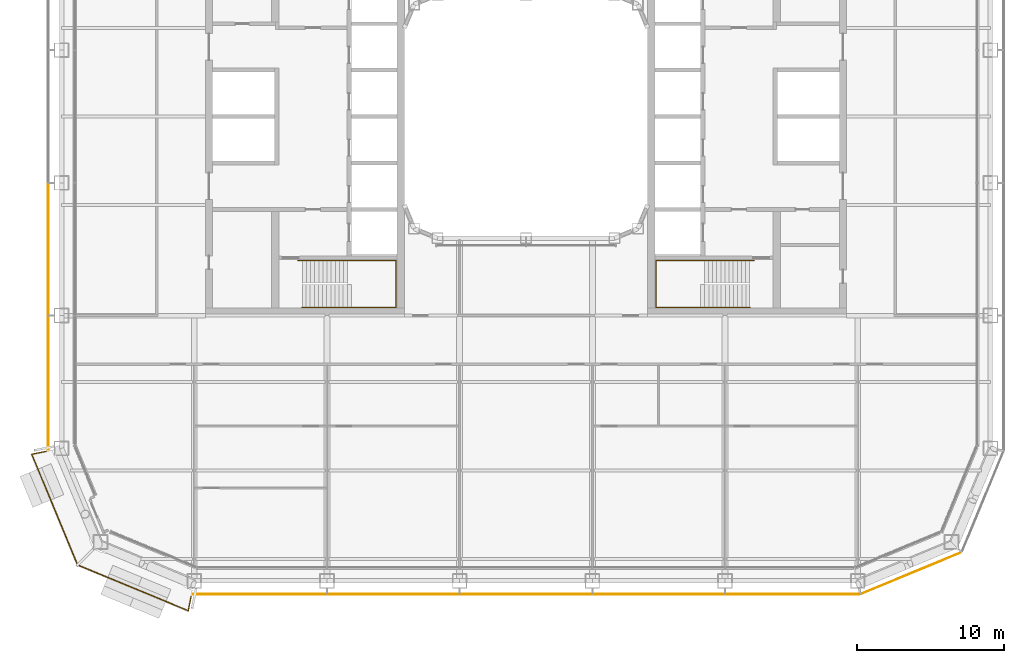
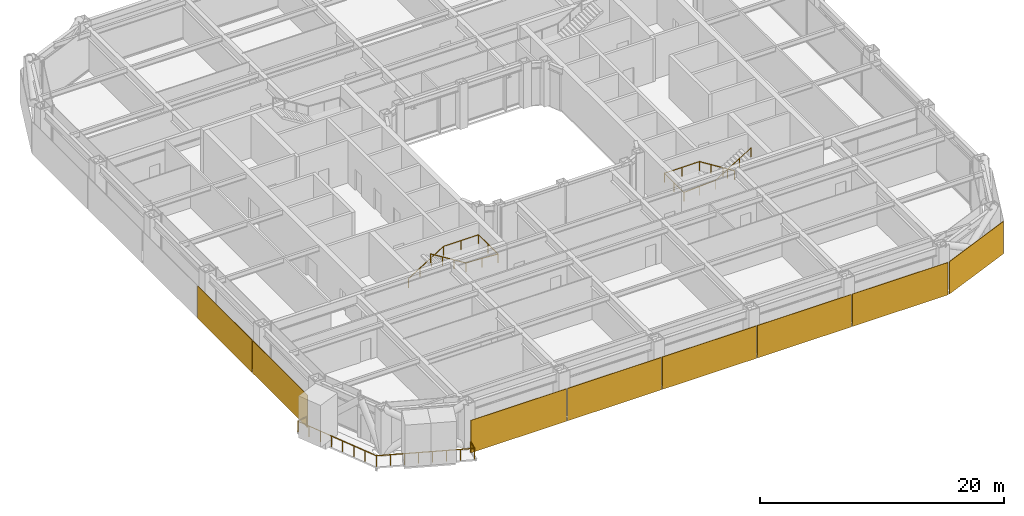
# One storey, part 23 of 27: 8 coverings, 3 railings.
"""IFC4 building model written with IfcOpenShell, lengths in metres."""

from ifc_helpers import new_model, si_unit, direction, frame, origin, origin_2d, place, context, subcontext, project, spatial, rectangle, circle, extrude, material, layer, layer_set, type_object, element, save


model = new_model("IFC4")

# Units and contexts
model_context = context("Model", 3, precision=1e-05, world=origin(), true_north=direction((0.0, 1.0)))
body_context = subcontext(model_context, "Body", "Model", "MODEL_VIEW")
ifc_project = project(units=[si_unit("LENGTHUNIT", "METRE"), si_unit("AREAUNIT", "SQUARE_METRE"), si_unit("VOLUMEUNIT", "CUBIC_METRE"), si_unit("PLANEANGLEUNIT", "RADIAN"), si_unit("MASSUNIT", "GRAM", prefix="KILO")], contexts=[model_context])

# Site, building, storey
site_placement = place(None, origin())
site = spatial("IfcSite", under=ifc_project, at=site_placement, CompositionType="ELEMENT")
building_placement = place(site_placement, origin())
building = spatial("IfcBuilding", under=site, at=building_placement, Name="Siwar Civic Tower", CompositionType="ELEMENT")
storey_placement = place(building_placement, frame((0.0, 0.0, 89.699951171875)))
storey = spatial("IfcBuildingStorey", under=building, at=storey_placement, Name="L19", CompositionType="ELEMENT", Elevation=89.699951171875)

# Railings
ifc_material_1 = material(Name="Stainless steel", Category="steel")
railing_type_1 = type_object("IfcRailingType", Name="CORE-STAIR-HANDRAIL", PredefinedType="HANDRAIL", material=ifc_material_1)
railing_1_placement = place(storey_placement, frame((-15.449951171875, -9.758056640625, 0.173095703125)))
element("IfcRailing", 1, at=railing_1_placement, inside=storey, type_object=railing_type_1, Name="Stair handrail ST2", PredefinedType="HANDRAIL", context=body_context, shape_type="SweptSolid", body=[
    extrude(circle(Radius=0.02001953125, at=origin_2d()), frame((0.0, 0.0, 0.8798828125), z_axis=(0.847063342986, 0.0, 0.531491950051), x_axis=(0.0, 1.0, 0.0)), (0.0, 0.0, 1.0), 3.90771484375),
    extrude(circle(Radius=0.02001953125, at=origin_2d()), frame((3.31005859375, 0.0, 2.956787109375), z_axis=(1.0, 0.0, 0.0), x_axis=(0.0, 1.0, 0.0)), (0.0, 0.0, 1.0), 3.331787109375),
    extrude(circle(Radius=0.02001953125, at=origin_2d()), frame((6.641845703125, 0.0, 2.956787109375), z_axis=(0.0, -1.0, 0.0), x_axis=(1.0, 0.0, 0.0)), (0.0, 0.0, 1.0), 3.183837890625),
    extrude(circle(Radius=0.02001953125, at=origin_2d()), frame((6.641845703125, -3.183837890625, 2.956787109375), z_axis=(-0.99837434197, 0.0, 0.056997134106), x_axis=(0.0, -1.0, 0.0)), (0.0, 0.0, 1.0), 3.036865234375),
    extrude(circle(Radius=0.02001953125, at=origin_2d()), frame((3.60986328125, -3.183837890625, 3.1298828125), z_axis=(-0.850606129759, 0.0, 0.525803396734), x_axis=(0.0, -1.0, 0.0)), (0.0, 0.0, 1.0), 3.949951171875),
    extrude(circle(Radius=0.02001953125, at=origin_2d()), origin(), (0.0, 0.0, 1.0), 0.85986328125),
    extrude(circle(Radius=0.02001953125, at=origin_2d()), frame((1.103271484375, 0.0, 0.6923828125)), (0.0, 0.0, 1.0), 0.85986328125),
    extrude(circle(Radius=0.02001953125, at=origin_2d()), frame((2.206787109375, 0.0, 1.384521484375)), (0.0, 0.0, 1.0), 0.85986328125),
    extrude(circle(Radius=0.02001953125, at=origin_2d()), frame((3.31005859375, 0.0, 2.076904296875)), (0.0, 0.0, 1.0), 0.85986328125),
    extrude(circle(Radius=0.02001953125, at=origin_2d()), frame((4.97607421875, 0.0, 2.076904296875)), (0.0, 0.0, 1.0), 0.85986328125),
    extrude(circle(Radius=0.02001953125, at=origin_2d()), frame((6.641845703125, 0.0, 2.076904296875)), (0.0, 0.0, 1.0), 0.85986328125),
    extrude(circle(Radius=0.02001953125, at=origin_2d()), frame((6.641845703125, -1.591796875, 2.076904296875)), (0.0, 0.0, 1.0), 0.85986328125),
    extrude(circle(Radius=0.02001953125, at=origin_2d()), frame((6.641845703125, -3.183837890625, 2.076904296875)), (0.0, 0.0, 1.0), 0.85986328125),
    extrude(circle(Radius=0.02001953125, at=origin_2d()), frame((5.1259765625, -3.183837890625, 2.16357421875)), (0.0, 0.0, 1.0), 0.85986328125),
    extrude(circle(Radius=0.02001953125, at=origin_2d()), frame((3.60986328125, -3.183837890625, 2.25)), (0.0, 0.0, 1.0), 0.85986328125),
    extrude(circle(Radius=0.02001953125, at=origin_2d()), frame((2.489990234375, -3.183837890625, 2.9423828125)), (0.0, 0.0, 1.0), 0.85986328125),
    extrude(circle(Radius=0.02001953125, at=origin_2d()), frame((1.369873046875, -3.183837890625, 3.634521484375)), (0.0, 0.0, 1.0), 0.85986328125),
    extrude(circle(Radius=0.02001953125, at=origin_2d()), frame((0.25, -3.183837890625, 4.326904296875)), (0.0, 0.0, 1.0), 0.85986328125),
])
railing_2_placement = place(storey_placement, frame((15.449951171875, -9.758056640625, 0.173095703125)))
element("IfcRailing", 2, at=railing_2_placement, inside=storey, type_object=railing_type_1, Name="Stair handrail ST4", PredefinedType="HANDRAIL", context=body_context, shape_type="SweptSolid", body=[
    extrude(circle(Radius=0.02001953125, at=origin_2d()), frame((0.0, 0.0, 0.8798828125), z_axis=(-0.847063342986, 0.0, 0.531491950051), x_axis=(0.0, -1.0, 0.0)), (0.0, 0.0, 1.0), 3.90771484375),
    extrude(circle(Radius=0.02001953125, at=origin_2d()), frame((-3.31005859375, 0.0, 2.956787109375), z_axis=(-1.0, 0.0, 0.0), x_axis=(0.0, -1.0, 0.0)), (0.0, 0.0, 1.0), 3.331787109375),
    extrude(circle(Radius=0.02001953125, at=origin_2d()), frame((-6.641845703125, 0.0, 2.956787109375), z_axis=(0.0, -1.0, 0.0), x_axis=(1.0, 0.0, 0.0)), (0.0, 0.0, 1.0), 3.183837890625),
    extrude(circle(Radius=0.02001953125, at=origin_2d()), frame((-6.641845703125, -3.183837890625, 2.956787109375), z_axis=(0.99837434197, 0.0, 0.056997134106), x_axis=(0.0, 1.0, 0.0)), (0.0, 0.0, 1.0), 3.036865234375),
    extrude(circle(Radius=0.02001953125, at=origin_2d()), frame((-3.60986328125, -3.183837890625, 3.1298828125), z_axis=(0.850606129759, 0.0, 0.525803396734), x_axis=(0.0, 1.0, 0.0)), (0.0, 0.0, 1.0), 3.949951171875),
    extrude(circle(Radius=0.02001953125, at=origin_2d()), origin(), (0.0, 0.0, 1.0), 0.85986328125),
    extrude(circle(Radius=0.02001953125, at=origin_2d()), frame((-1.103271484375, 0.0, 0.6923828125)), (0.0, 0.0, 1.0), 0.85986328125),
    extrude(circle(Radius=0.02001953125, at=origin_2d()), frame((-2.206787109375, 0.0, 1.384521484375)), (0.0, 0.0, 1.0), 0.85986328125),
    extrude(circle(Radius=0.02001953125, at=origin_2d()), frame((-3.31005859375, 0.0, 2.076904296875)), (0.0, 0.0, 1.0), 0.85986328125),
    extrude(circle(Radius=0.02001953125, at=origin_2d()), frame((-4.97607421875, 0.0, 2.076904296875)), (0.0, 0.0, 1.0), 0.85986328125),
    extrude(circle(Radius=0.02001953125, at=origin_2d()), frame((-6.641845703125, 0.0, 2.076904296875)), (0.0, 0.0, 1.0), 0.85986328125),
    extrude(circle(Radius=0.02001953125, at=origin_2d()), frame((-6.641845703125, -1.591796875, 2.076904296875)), (0.0, 0.0, 1.0), 0.85986328125),
    extrude(circle(Radius=0.02001953125, at=origin_2d()), frame((-6.641845703125, -3.183837890625, 2.076904296875)), (0.0, 0.0, 1.0), 0.85986328125),
    extrude(circle(Radius=0.02001953125, at=origin_2d()), frame((-5.1259765625, -3.183837890625, 2.16357421875)), (0.0, 0.0, 1.0), 0.85986328125),
    extrude(circle(Radius=0.02001953125, at=origin_2d()), frame((-3.60986328125, -3.183837890625, 2.25)), (0.0, 0.0, 1.0), 0.85986328125),
    extrude(circle(Radius=0.02001953125, at=origin_2d()), frame((-2.489990234375, -3.183837890625, 2.9423828125)), (0.0, 0.0, 1.0), 0.85986328125),
    extrude(circle(Radius=0.02001953125, at=origin_2d()), frame((-1.369873046875, -3.183837890625, 3.634521484375)), (0.0, 0.0, 1.0), 0.85986328125),
    extrude(circle(Radius=0.02001953125, at=origin_2d()), frame((-0.25, -3.183837890625, 4.326904296875)), (0.0, 0.0, 1.0), 0.85986328125),
])
ifc_material_2 = material(Name="Stainless steel 316", Category="steel")
railing_type_2 = type_object("IfcRailingType", Name="ENV-GUARD", PredefinedType="GUARDRAIL", material=ifc_material_2)
railing_3_placement = place(storey_placement, frame((-32.547119140625, -22.708251953125, 0.0)))
element("IfcRailing", 3, at=railing_3_placement, inside=storey, type_object=railing_type_2, Name="Balcony guard SW", PredefinedType="GUARDRAIL", context=body_context, shape_type="SweptSolid", body=[
    extrude(circle(Radius=0.02392578125, at=origin_2d()), frame((0.0, 0.0, 1.076171875), z_axis=(-0.980778661911, -0.195123592472, 0.0), x_axis=(0.195123592472, -0.980778661911, 0.0)), (0.0, 0.0, 1.0), 0.993408203125),
    extrude(circle(Radius=0.02392578125, at=origin_2d()), frame((-0.974365234375, -0.19384765625, 1.076171875), z_axis=(0.382176720888, -0.924089256518, 0.0), x_axis=(0.924089256518, 0.382176720888, 0.0)), (0.0, 0.0, 1.0), 8.129638671875),
    extrude(circle(Radius=0.02392578125, at=origin_2d()), frame((2.132568359375, -7.706298828125, 1.076171875), z_axis=(0.924089256518, -0.382176720888, 0.0), x_axis=(0.382176720888, 0.924089256518, 0.0)), (0.0, 0.0, 1.0), 8.129638671875),
    extrude(circle(Radius=0.02392578125, at=origin_2d()), frame((9.64501953125, -10.813232421875, 1.076171875), z_axis=(0.195123592472, 0.980778661911, 0.0), x_axis=(-0.980778661911, 0.195123592472, 0.0)), (0.0, 0.0, 1.0), 0.993408203125),
    extrude(circle(Radius=0.02099609375, at=origin_2d()), origin(), (0.0, 0.0, 1.0), 1.052001953125),
    extrude(circle(Radius=0.02099609375, at=origin_2d()), frame((-0.974365234375, -0.19384765625, 0.0)), (0.0, 0.0, 1.0), 1.052001953125),
    extrude(circle(Radius=0.02099609375, at=origin_2d()), frame((-0.530517578125, -1.26708984375, 0.0)), (0.0, 0.0, 1.0), 1.052001953125),
    extrude(circle(Radius=0.02099609375, at=origin_2d()), frame((-0.086669921875, -2.34033203125, 0.0)), (0.0, 0.0, 1.0), 1.052001953125),
    extrude(circle(Radius=0.02099609375, at=origin_2d()), frame((0.357177734375, -3.41357421875, 0.0)), (0.0, 0.0, 1.0), 1.052001953125),
    extrude(circle(Radius=0.02099609375, at=origin_2d()), frame((0.801025390625, -4.486572265625, 0.0)), (0.0, 0.0, 1.0), 1.052001953125),
    extrude(circle(Radius=0.02099609375, at=origin_2d()), frame((1.244873046875, -5.559814453125, 0.0)), (0.0, 0.0, 1.0), 1.052001953125),
    extrude(circle(Radius=0.02099609375, at=origin_2d()), frame((1.688720703125, -6.633056640625, 0.0)), (0.0, 0.0, 1.0), 1.052001953125),
    extrude(circle(Radius=0.02099609375, at=origin_2d()), frame((2.132568359375, -7.706298828125, 0.0)), (0.0, 0.0, 1.0), 1.052001953125),
    extrude(circle(Radius=0.02099609375, at=origin_2d()), frame((3.205810546875, -8.150146484375, 0.0)), (0.0, 0.0, 1.0), 1.052001953125),
    extrude(circle(Radius=0.02099609375, at=origin_2d()), frame((4.279052734375, -8.593994140625, 0.0)), (0.0, 0.0, 1.0), 1.052001953125),
    extrude(circle(Radius=0.02099609375, at=origin_2d()), frame((5.352294921875, -9.037841796875, 0.0)), (0.0, 0.0, 1.0), 1.052001953125),
    extrude(circle(Radius=0.02099609375, at=origin_2d()), frame((6.42529296875, -9.481689453125, 0.0)), (0.0, 0.0, 1.0), 1.052001953125),
    extrude(circle(Radius=0.02099609375, at=origin_2d()), frame((7.49853515625, -9.925537109375, 0.0)), (0.0, 0.0, 1.0), 1.052001953125),
    extrude(circle(Radius=0.02099609375, at=origin_2d()), frame((8.57177734375, -10.369384765625, 0.0)), (0.0, 0.0, 1.0), 1.052001953125),
    extrude(circle(Radius=0.02099609375, at=origin_2d()), frame((9.64501953125, -10.813232421875, 0.0)), (0.0, 0.0, 1.0), 1.052001953125),
    extrude(circle(Radius=0.02099609375, at=origin_2d()), frame((9.8388671875, -9.8388671875, 0.0)), (0.0, 0.0, 1.0), 1.052001953125),
])

# Coverings
ifc_material_3 = material(Name="Perforated aluminium cassette, pale metal", Category="aluminium")
ifc_layer_1 = layer(ifc_material_3, 0.050048828125)
ifc_layer_set_1 = layer_set([ifc_layer_1], Name="Perforated aluminium cassette, pale metal")
covering_type_1 = type_object("IfcCoveringType", Name="ENV-OUTER SKIN OS-3", PredefinedType="CLADDING", material=ifc_layer_set_1)
covering_1_placement = place(storey_placement, frame((26.115966796875, -30.976318359375, -0.14990234375), z_axis=(0.0, 0.0, 1.0), x_axis=(0.923879532511, 0.382683432365, 0.0)))
element("IfcCovering", 4, at=covering_1_placement, inside=storey, type_object=covering_type_1, Name="OUTER SKIN OS-3 SE1 1", PredefinedType="CLADDING", context=body_context, shape_type="SweptSolid", body=[
    extrude(rectangle(XDim=7.300048828125, YDim=0.050048828125, at=origin_2d()), origin(), (0.0, 0.0, 1.0), 3.25),
])
covering_2_placement = place(storey_placement, frame((-32.39990234375, -9.0, -0.14990234375), z_axis=(0.0, 0.0, 1.0), x_axis=(0.0, -1.0, 0.0)))
element("IfcCovering", 5, at=covering_2_placement, inside=storey, type_object=covering_type_1, Name="OUTER SKIN OS-3 W 4", PredefinedType="CLADDING", context=body_context, shape_type="SweptSolid", body=[
    extrude(rectangle(XDim=8.89990234375, YDim=0.050048828125, at=origin_2d()), origin(), (0.0, 0.0, 1.0), 3.25),
])
covering_3_placement = place(storey_placement, frame((-32.39990234375, -18.07958984375, -0.14990234375), z_axis=(0.0, 0.0, 1.0), x_axis=(0.0, -1.0, 0.0)))
element("IfcCovering", 6, at=covering_3_placement, inside=storey, type_object=covering_type_1, Name="OUTER SKIN OS-3 W 5", PredefinedType="CLADDING", context=body_context, shape_type="SweptSolid", body=[
    extrude(rectangle(XDim=9.05908203125, YDim=0.050048828125, at=origin_2d()), origin(), (0.0, 0.0, 1.0), 3.25),
])
ifc_material_4 = material(Name="Perforated aluminium cassette, pale metal", Category="aluminium")
ifc_layer_2 = layer(ifc_material_4, 0.054931640625)
ifc_layer_set_2 = layer_set([ifc_layer_2], Name="Perforated aluminium cassette, pale metal")
covering_type_2 = type_object("IfcCoveringType", Name="ENV-OUTER SKIN OS-4", PredefinedType="CLADDING", material=ifc_layer_set_2)
covering_4_placement = place(storey_placement, frame((-18.07958984375, -32.39990234375, -0.14990234375), z_axis=(0.0, 0.0, 1.0), x_axis=(1.0, 0.0, 0.0)))
element("IfcCovering", 7, at=covering_4_placement, inside=storey, type_object=covering_type_2, Name="OUTER SKIN OS-4 S 1", PredefinedType="CLADDING", context=body_context, shape_type="SweptSolid", body=[
    extrude(rectangle(XDim=9.05908203125, YDim=0.054931640625, at=origin_2d()), origin(), (0.0, 0.0, 1.0), 3.25),
])
for number, where, z_axis, x_axis, name in (
    (8, (-9.0, -32.39990234375, -0.14990234375), (0.0, 0.0, 1.0), (1.0, 0.0, 0.0), "OUTER SKIN OS-4 S 2"),
    (9, (0.0, -32.39990234375, -0.14990234375), (0.0, 0.0, 1.0), (1.0, 0.0, 0.0), "OUTER SKIN OS-4 S 3"),
    (10, (9.0, -32.39990234375, -0.14990234375), (0.0, 0.0, 1.0), (1.0, 0.0, 0.0), "OUTER SKIN OS-4 S 4"),
):
    element("IfcCovering", number, at=place(storey_placement, frame(where, z_axis=z_axis, x_axis=x_axis)), inside=storey, type_object=covering_type_2, Name=name, PredefinedType="CLADDING", context=body_context, shape_type="SweptSolid", body=[
        extrude(rectangle(XDim=8.89990234375, YDim=0.054931640625, at=origin_2d()), origin(), (0.0, 0.0, 1.0), 3.25),
    ])
covering_5_placement = place(storey_placement, frame((18.07958984375, -32.39990234375, -0.14990234375), z_axis=(0.0, 0.0, 1.0), x_axis=(1.0, 0.0, 0.0)))
element("IfcCovering", 11, at=covering_5_placement, inside=storey, type_object=covering_type_2, Name="OUTER SKIN OS-4 S 5", PredefinedType="CLADDING", context=body_context, shape_type="SweptSolid", body=[
    extrude(rectangle(XDim=9.05908203125, YDim=0.054931640625, at=origin_2d()), origin(), (0.0, 0.0, 1.0), 3.25),
])

save(model, "model.ifc")
